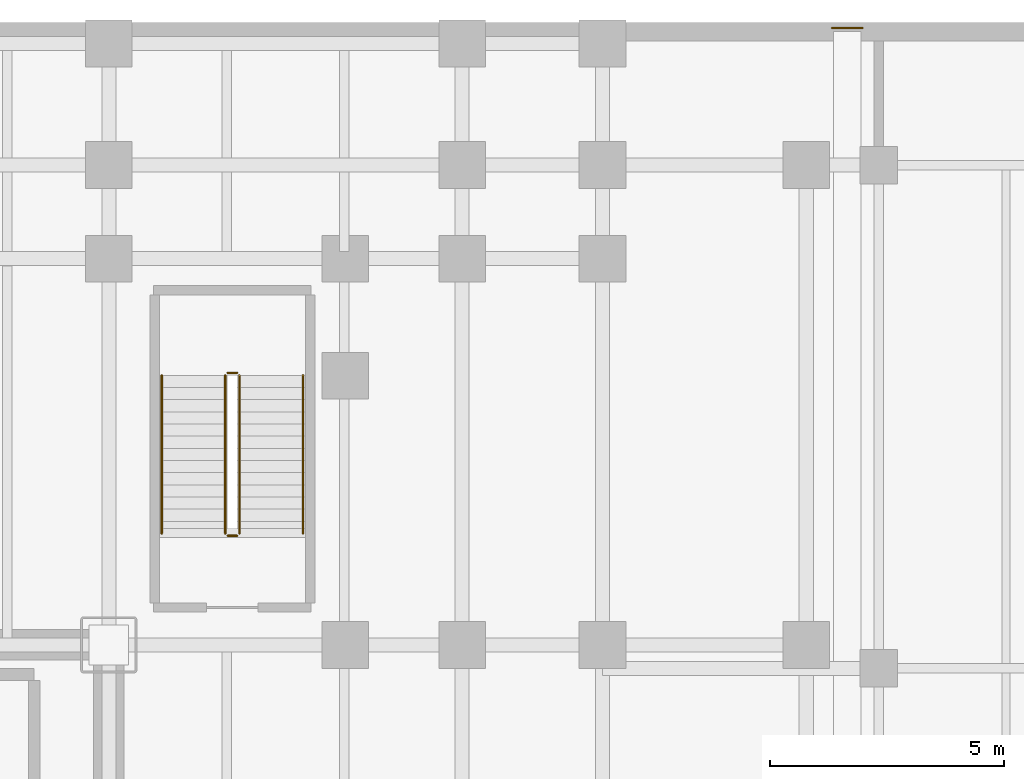
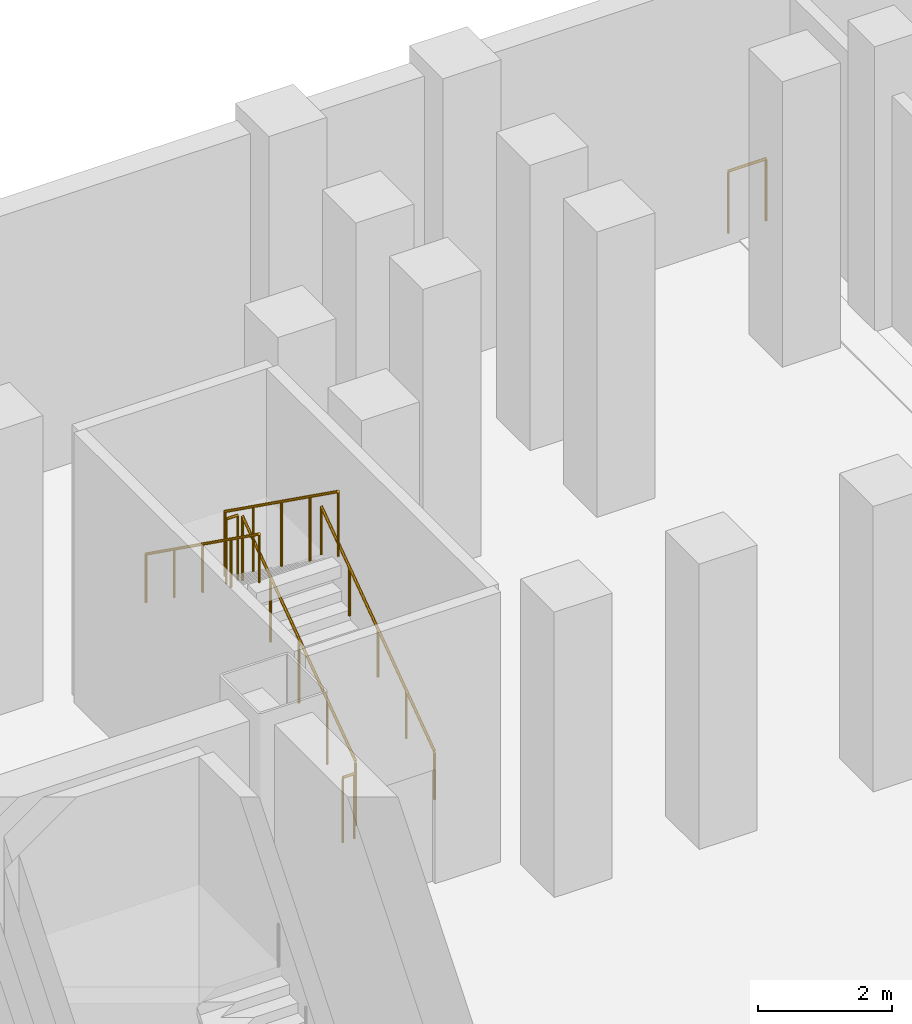
# One storey, part 15 of 15: 7 railings.
"""IFC4 building model written with IfcOpenShell, lengths in metres."""

from ifc_helpers import new_model, si_unit, direction, frame, origin, origin_2d, place, context, subcontext, project, spatial, circle, extrude, material, layer, layer_set, type_object, element, save


model = new_model("IFC4")

# Units and contexts
model_context = context("Model", 3, precision=1e-05, world=origin(), true_north=direction((0.0, 1.0)))
body_context = subcontext(model_context, "Body", "Model", "MODEL_VIEW")
ifc_project = project(units=[si_unit("LENGTHUNIT", "METRE"), si_unit("AREAUNIT", "SQUARE_METRE"), si_unit("VOLUMEUNIT", "CUBIC_METRE"), si_unit("PLANEANGLEUNIT", "RADIAN"), si_unit("MASSUNIT", "GRAM", prefix="KILO")], contexts=[model_context])

# Site, building, storey
site_placement = place(None, origin())
site = spatial("IfcSite", under=ifc_project, at=site_placement, CompositionType="ELEMENT")
building_placement = place(site_placement, origin())
building = spatial("IfcBuilding", under=site, at=building_placement, Name="Noeulbin Bourse Tower", CompositionType="ELEMENT")
storey_placement = place(building_placement, frame((0.0, 0.0, -10.199951171875)))
storey = spatial("IfcBuildingStorey", under=building, at=storey_placement, Name="B02", CompositionType="ELEMENT", Elevation=-10.199951171875)

# Railings
ifc_material_1 = material(Name="Galvanised Tubular Steel S355", Category="steel")
ifc_layer_1 = layer(ifc_material_1, 0.06005859375)
ifc_layer_set_1 = layer_set([ifc_layer_1], Name="Galvanised Tubular Steel S355")
railing_type_1 = type_object("IfcRailingType", Name="RLG-RMP-1100", PredefinedType="GUARDRAIL", material=ifc_layer_set_1)
railing_1_placement = place(storey_placement, frame((59.449951171875, 51.47998046875, 0.0)))
element("IfcRailing", 1, at=railing_1_placement, inside=storey, type_object=railing_type_1, Name="Seismic Joint Edge Guard B02-N", PredefinedType="GUARDRAIL", context=body_context, shape_type="SweptSolid", body=[
    extrude(circle(Radius=0.02392578125, at=origin_2d()), frame((0.0, 0.0, 1.1259765625), z_axis=(1.0, 0.0, 0.0), x_axis=(0.0, 1.0, 0.0)), (0.0, 0.0, 1.0), 0.650146484375),
    extrude(circle(Radius=0.02099609375, at=origin_2d()), origin(), (0.0, 0.0, 1.0), 1.101806640625),
    extrude(circle(Radius=0.02099609375, at=origin_2d()), frame((0.650146484375, 0.0, 0.0)), (0.0, 0.0, 1.0), 1.101806640625),
])
ifc_material_2 = material(Name="Painted Tubular Steel S355", Category="steel")
ifc_layer_2 = layer(ifc_material_2, 0.048095703125)
ifc_layer_set_2 = layer_set([ifc_layer_2], Name="Painted Tubular Steel S355")
railing_type_2 = type_object("IfcRailingType", Name="RLG-STR-GRD", PredefinedType="GUARDRAIL", material=ifc_layer_set_2)
railing_2_placement = place(storey_placement, frame((46.7900390625, 40.679931640625, 0.185546875)))
element("IfcRailing", 2, at=railing_2_placement, inside=storey, type_object=railing_type_2, Name="B02 ST-S3 stair guard 1", PredefinedType="GUARDRAIL", context=body_context, shape_type="SweptSolid", body=[
    extrude(circle(Radius=0.02392578125, at=origin_2d()), frame((0.0, 0.0, 1.17578125), z_axis=(0.0, 0.813741413713, 0.581227074049), x_axis=(-1.0, 0.0, 0.0)), (0.0, 0.0, 1.0), 4.15380859375),
    extrude(circle(Radius=0.02099609375, at=origin_2d()), origin(), (0.0, 0.0, 1.0), 1.15185546875),
    extrude(circle(Radius=0.02099609375, at=origin_2d()), frame((0.0, 0.844970703125, 0.603515625)), (0.0, 0.0, 1.0), 1.15185546875),
    extrude(circle(Radius=0.02099609375, at=origin_2d()), frame((0.0, 1.68994140625, 1.20703125)), (0.0, 0.0, 1.0), 1.15185546875),
    extrude(circle(Radius=0.02099609375, at=origin_2d()), frame((0.0, 2.53515625, 1.810791015625)), (0.0, 0.0, 1.0), 1.15185546875),
    extrude(circle(Radius=0.02099609375, at=origin_2d()), frame((0.0, 3.380126953125, 2.414306640625)), (0.0, 0.0, 1.0), 1.15185546875),
])
railing_3_placement = place(storey_placement, frame((46.739990234375, 44.110107421875, 2.599853515625)))
element("IfcRailing", 3, at=railing_3_placement, inside=storey, type_object=railing_type_2, Name="B02 ST-S3 stair guard 2", PredefinedType="GUARDRAIL", context=body_context, shape_type="SweptSolid", body=[
    extrude(circle(Radius=0.02392578125, at=origin_2d()), frame((0.0, 0.0, 1.17578125), z_axis=(-1.0, 0.0, 0.0), x_axis=(0.0, -1.0, 0.0)), (0.0, 0.0, 1.0), 0.199951171875),
    extrude(circle(Radius=0.02099609375, at=origin_2d()), origin(), (0.0, 0.0, 1.0), 1.15185546875),
    extrude(circle(Radius=0.02099609375, at=origin_2d()), frame((-0.199951171875, 0.0, 0.0)), (0.0, 0.0, 1.0), 1.15185546875),
])
railing_4_placement = place(storey_placement, frame((46.489990234375, 44.06005859375, 2.78564453125)))
element("IfcRailing", 4, at=railing_4_placement, inside=storey, type_object=railing_type_2, Name="B02 ST-S3 stair guard 3", PredefinedType="GUARDRAIL", context=body_context, shape_type="SweptSolid", body=[
    extrude(circle(Radius=0.02392578125, at=origin_2d()), frame((0.0, 0.0, 1.17578125), z_axis=(0.0, -0.813741413713, 0.581227074049), x_axis=(1.0, 0.0, 0.0)), (0.0, 0.0, 1.0), 4.15380859375),
    extrude(circle(Radius=0.02099609375, at=origin_2d()), origin(), (0.0, 0.0, 1.0), 1.15185546875),
    extrude(circle(Radius=0.02099609375, at=origin_2d()), frame((0.0, -0.844970703125, 0.603515625)), (0.0, 0.0, 1.0), 1.15185546875),
    extrude(circle(Radius=0.02099609375, at=origin_2d()), frame((0.0, -1.68994140625, 1.20703125)), (0.0, 0.0, 1.0), 1.15185546875),
    extrude(circle(Radius=0.02099609375, at=origin_2d()), frame((0.0, -2.53515625, 1.810791015625)), (0.0, 0.0, 1.0), 1.15185546875),
    extrude(circle(Radius=0.02099609375, at=origin_2d()), frame((0.0, -3.380126953125, 2.414306640625)), (0.0, 0.0, 1.0), 1.15185546875),
])
railing_5_placement = place(storey_placement, frame((46.739990234375, 40.6298828125, 0.0)))
element("IfcRailing", 5, at=railing_5_placement, inside=storey, type_object=railing_type_2, Name="B02 ST-S3 stair guard 4", PredefinedType="GUARDRAIL", context=body_context, shape_type="SweptSolid", body=[
    extrude(circle(Radius=0.02392578125, at=origin_2d()), frame((0.0, 0.0, 1.17578125), z_axis=(-1.0, 0.0, 0.0), x_axis=(0.0, -1.0, 0.0)), (0.0, 0.0, 1.0), 0.199951171875),
    extrude(circle(Radius=0.02099609375, at=origin_2d()), origin(), (0.0, 0.0, 1.0), 1.15185546875),
    extrude(circle(Radius=0.02099609375, at=origin_2d()), frame((-0.199951171875, 0.0, 0.0)), (0.0, 0.0, 1.0), 1.15185546875),
])
ifc_material_3 = material(Name="Brushed Stainless Steel 316", Category="steel")
ifc_layer_3 = layer(ifc_material_3, 0.048095703125)
ifc_layer_set_3 = layer_set([ifc_layer_3], Name="Brushed Stainless Steel 316")
railing_type_3 = type_object("IfcRailingType", Name="RLG-STR-HND", PredefinedType="HANDRAIL", material=ifc_layer_set_3)
railing_6_placement = place(storey_placement, frame((48.14990234375, 40.679931640625, 0.185546875)))
element("IfcRailing", 6, at=railing_6_placement, inside=storey, type_object=railing_type_3, Name="B02 ST-S3 stair handrail 1", PredefinedType="HANDRAIL", context=body_context, shape_type="SweptSolid", body=[
    extrude(circle(Radius=0.02392578125, at=origin_2d()), frame((0.0, 0.0, 0.8759765625), z_axis=(0.0, 0.813741413713, 0.581227074049), x_axis=(-1.0, 0.0, 0.0)), (0.0, 0.0, 1.0), 4.15380859375),
    extrude(circle(Radius=0.02099609375, at=origin_2d()), origin(), (0.0, 0.0, 1.0), 0.851806640625),
    extrude(circle(Radius=0.02099609375, at=origin_2d()), frame((0.0, 0.844970703125, 0.603515625)), (0.0, 0.0, 1.0), 0.851806640625),
    extrude(circle(Radius=0.02099609375, at=origin_2d()), frame((0.0, 1.68994140625, 1.20703125)), (0.0, 0.0, 1.0), 0.851806640625),
    extrude(circle(Radius=0.02099609375, at=origin_2d()), frame((0.0, 2.53515625, 1.810791015625)), (0.0, 0.0, 1.0), 0.851806640625),
    extrude(circle(Radius=0.02099609375, at=origin_2d()), frame((0.0, 3.380126953125, 2.414306640625)), (0.0, 0.0, 1.0), 0.851806640625),
])
railing_7_placement = place(storey_placement, frame((45.1298828125, 44.06005859375, 2.78564453125)))
element("IfcRailing", 7, at=railing_7_placement, inside=storey, type_object=railing_type_3, Name="B02 ST-S3 stair handrail 2", PredefinedType="HANDRAIL", context=body_context, shape_type="SweptSolid", body=[
    extrude(circle(Radius=0.02392578125, at=origin_2d()), frame((0.0, 0.0, 0.8759765625), z_axis=(0.0, -0.813741413713, 0.581227074049), x_axis=(1.0, 0.0, 0.0)), (0.0, 0.0, 1.0), 4.15380859375),
    extrude(circle(Radius=0.02099609375, at=origin_2d()), origin(), (0.0, 0.0, 1.0), 0.851806640625),
    extrude(circle(Radius=0.02099609375, at=origin_2d()), frame((0.0, -0.844970703125, 0.603515625)), (0.0, 0.0, 1.0), 0.851806640625),
    extrude(circle(Radius=0.02099609375, at=origin_2d()), frame((0.0, -1.68994140625, 1.20703125)), (0.0, 0.0, 1.0), 0.851806640625),
    extrude(circle(Radius=0.02099609375, at=origin_2d()), frame((0.0, -2.53515625, 1.810791015625)), (0.0, 0.0, 1.0), 0.851806640625),
    extrude(circle(Radius=0.02099609375, at=origin_2d()), frame((0.0, -3.380126953125, 2.414306640625)), (0.0, 0.0, 1.0), 0.851806640625),
])

save(model, "model.ifc")
